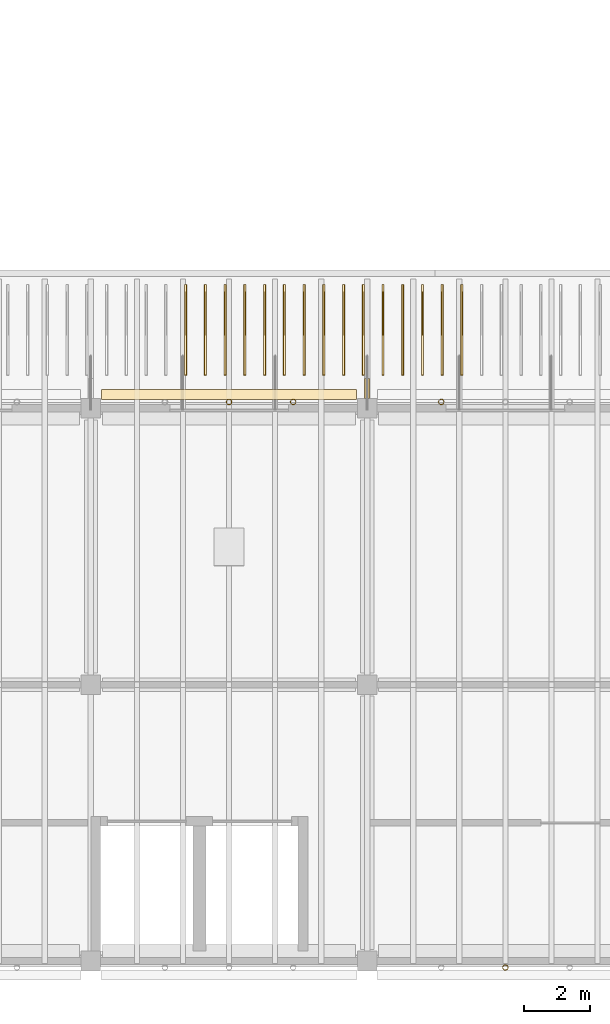
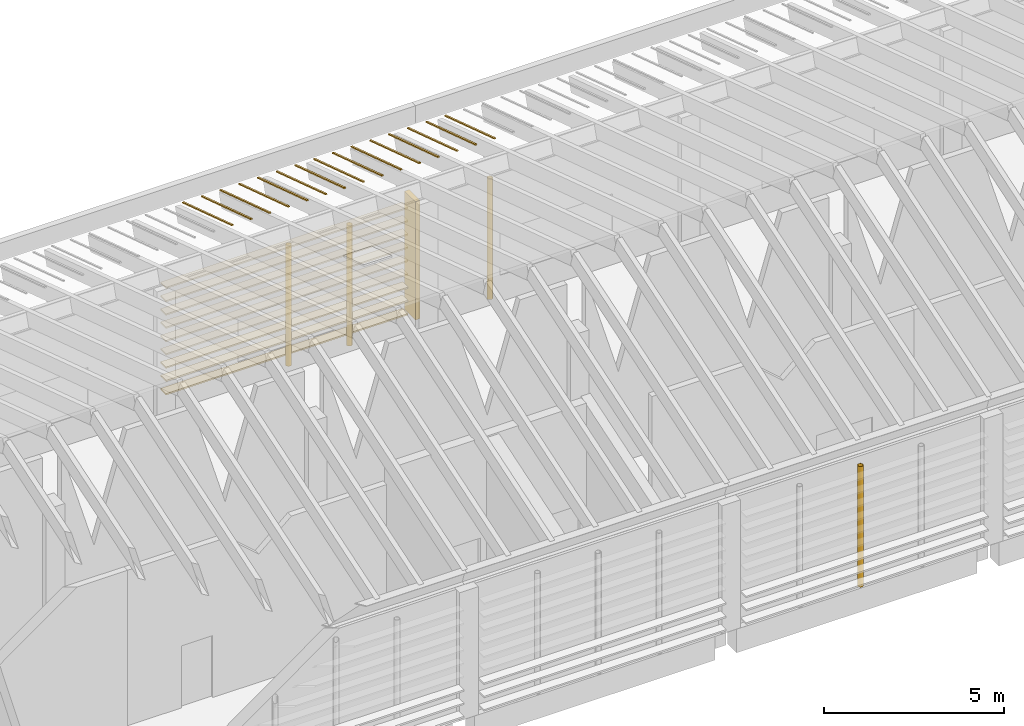
# One storey, part 47 of 59: 24 coverings, 5 shading devices.
"""IFC4 building model written with IfcOpenShell, lengths in metres."""

from ifc_helpers import new_model, si_unit, direction, frame, origin, origin_2d, place, context, subcontext, project, spatial, polyline, rectangle, hollow_circle, outline, extrude, material, layer, layer_set, material_profile, profile_set, type_object, element, save


model = new_model("IFC4")

# Units and contexts
model_context = context("Model", 3, precision=1e-05, world=origin(), true_north=direction((0.0, 1.0)))
body_context = subcontext(model_context, "Body", "Model", "MODEL_VIEW")
ifc_project = project(units=[si_unit("LENGTHUNIT", "METRE"), si_unit("AREAUNIT", "SQUARE_METRE"), si_unit("VOLUMEUNIT", "CUBIC_METRE"), si_unit("PLANEANGLEUNIT", "RADIAN"), si_unit("MASSUNIT", "GRAM", prefix="KILO")], contexts=[model_context])

# Site, building, storey
site_placement = place(None, origin())
site = spatial("IfcSite", under=ifc_project, at=site_placement, CompositionType="ELEMENT")
building_placement = place(site_placement, origin())
building = spatial("IfcBuilding", under=site, at=building_placement, Name="Almond Square Museum", CompositionType="ELEMENT")
storey_placement = place(building_placement, frame((0.0, 0.0, 25.0)))
storey = spatial("IfcBuildingStorey", under=building, at=storey_placement, Name="L04", CompositionType="ELEMENT", Elevation=25.0)

# Shading devices
ifc_material_1 = material(Name="Structural steel S355", Category="steel")
ifc_material_profile_1 = material_profile(ifc_material_1, hollow_circle(Radius=0.084228515625, WallThickness=0.008056640625, at=origin_2d()))
ifc_profile_set_1 = profile_set([ifc_material_profile_1], Name="Structural steel S355")
shading_device_type_1 = type_object("IfcShadingDeviceType", Name="Louvre post CHS 168.3 x 8", PredefinedType="USERDEFINED", material=ifc_profile_set_1)
for number, where, z_axis, x_axis, name in (
    (1, (102.60009765625, -0.194091796875, 0.0), (0.0, 0.0, 1.0), (1.0, 0.0, 0.0), "Louvre screen post"),
    (2, (100.64990234375, 16.994140625, 0.0), (0.0, 0.0, 1.0), (1.0, 0.0, 0.0), "Louvre screen post"),
    (3, (94.199951171875, 16.994140625, 0.0), (0.0, 0.0, 1.0), (1.0, 0.0, 0.0), "Louvre screen post"),
    (4, (96.14990234375, 16.994140625, 0.0), (0.0, 0.0, 1.0), (1.0, 0.0, 0.0), "Louvre screen post"),
):
    element("IfcShadingDevice", number, at=place(storey_placement, frame(where, z_axis=z_axis, x_axis=x_axis)), inside=storey, type_object=shading_device_type_1, Name=name, ObjectType="POST", PredefinedType="USERDEFINED", context=body_context, shape_type="SweptSolid", body=[
        extrude(hollow_circle(Radius=0.084228515625, WallThickness=0.008056640625, at=origin_2d()), origin(), (0.0, 0.0, 1.0), 4.08447265625),
    ])

# Coverings
ifc_material_2 = material(Name="Cedar timber louvre board", Category="wood")
ifc_material_profile_2 = material_profile(ifc_material_2, rectangle(XDim=0.300048828125, YDim=0.050048828125, at=origin_2d()))
ifc_profile_set_2 = profile_set([ifc_material_profile_2], Name="Cedar timber louvre board")
covering_type_1 = type_object("IfcCoveringType", Name="Louvre screen board 300 x 50", PredefinedType="CLADDING", material=ifc_profile_set_2)
for number, where, z_axis, x_axis, name in (
    (5, (90.320068359375, 17.224365234375, 0.300048828125), (1.0, 0.0, 0.0), (0.0, 1.0, 0.0), "Louvre screen board"),
    (6, (90.320068359375, 17.224365234375, 0.75), (1.0, 0.0, 0.0), (0.0, 1.0, 0.0), "Louvre screen board"),
    (7, (90.320068359375, 17.224365234375, 1.199951171875), (1.0, 0.0, 0.0), (0.0, 1.0, 0.0), "Louvre screen board"),
    (8, (90.320068359375, 17.224365234375, 1.64990234375), (1.0, 0.0, 0.0), (0.0, 1.0, 0.0), "Louvre screen board"),
    (9, (90.320068359375, 17.224365234375, 2.10009765625), (1.0, 0.0, 0.0), (0.0, 1.0, 0.0), "Louvre screen board"),
    (10, (90.320068359375, 17.224365234375, 2.550048828125), (1.0, 0.0, 0.0), (0.0, 1.0, 0.0), "Louvre screen board"),
    (11, (90.320068359375, 17.224365234375, 3.0), (1.0, 0.0, 0.0), (0.0, 1.0, 0.0), "Louvre screen board"),
    (12, (90.320068359375, 17.224365234375, 3.449951171875), (1.0, 0.0, 0.0), (0.0, 1.0, 0.0), "Louvre screen board"),
    (13, (90.320068359375, 17.224365234375, 3.89990234375), (1.0, 0.0, 0.0), (0.0, 1.0, 0.0), "Louvre screen board"),
):
    element("IfcCovering", number, at=place(storey_placement, frame(where, z_axis=z_axis, x_axis=x_axis)), inside=storey, type_object=covering_type_1, Name=name, PredefinedType="CLADDING", context=body_context, shape_type="SweptSolid", body=[
        extrude(rectangle(XDim=0.300048828125, YDim=0.050048828125, at=origin_2d()), origin(), (0.0, 0.0, 1.0), 7.760009765625),
    ])
ifc_material_3 = material(Name="Zinc standing seam")
ifc_layer = layer(ifc_material_3, 0.0400390625)
ifc_layer_set = layer_set([ifc_layer], Name="Zinc standing seam")
covering_type_2 = type_object("IfcCoveringType", Name="Roof standing seam rib 60 x 40", PredefinedType="CLADDING", material=ifc_layer_set)
covering_1_placement = place(storey_placement, frame((92.85009765625, 17.800048828125, 4.675048828125), z_axis=(0.0, 0.309024978252, 0.951053922139), x_axis=(1.0, 0.0, 0.0)))
element("IfcCovering", 14, at=covering_1_placement, inside=storey, type_object=covering_type_2, Name="Roof standing seam rib", PredefinedType="CLADDING", context=body_context, shape_type="SweptSolid", body=[
    extrude(outline(polyline([(0.0, 0.0), (0.059814453125, 0.0), (0.059814453125, 2.8915290037544534), (0.0, 2.8915290037544534), (0.0, 0.0)])), origin(), (0.0, 0.0, 1.0), 0.0400390625),
])
for number, where, z_axis, x_axis, name in (
    (15, (93.449951171875, 17.800048828125, 4.675048828125), (0.0, 0.309024978252, 0.951053922139), (1.0, 0.0, 0.0), "Roof standing seam rib"),
    (16, (94.050048828125, 17.800048828125, 4.675048828125), (0.0, 0.309024978252, 0.951053922139), (1.0, 0.0, 0.0), "Roof standing seam rib"),
    (17, (94.64990234375, 17.800048828125, 4.675048828125), (0.0, 0.309024978252, 0.951053922139), (1.0, 0.0, 0.0), "Roof standing seam rib"),
    (18, (95.25, 17.800048828125, 4.675048828125), (0.0, 0.309024978252, 0.951053922139), (1.0, 0.0, 0.0), "Roof standing seam rib"),
):
    element("IfcCovering", number, at=place(storey_placement, frame(where, z_axis=z_axis, x_axis=x_axis)), inside=storey, type_object=covering_type_2, Name=name, PredefinedType="CLADDING", context=body_context, shape_type="SweptSolid", body=[
        extrude(outline(polyline([(0.0, 0.0), (0.06005859375, 0.0), (0.06005859375, 2.891529003754454), (0.0, 2.891529003754454), (0.0, 0.0)])), origin(), (0.0, 0.0, 1.0), 0.0400390625),
    ])
covering_2_placement = place(storey_placement, frame((95.85009765625, 17.800048828125, 4.675048828125), z_axis=(0.0, 0.309024978252, 0.951053922139), x_axis=(1.0, 0.0, 0.0)))
element("IfcCovering", 19, at=covering_2_placement, inside=storey, type_object=covering_type_2, Name="Roof standing seam rib", PredefinedType="CLADDING", context=body_context, shape_type="SweptSolid", body=[
    extrude(outline(polyline([(0.0, 0.0), (0.059814453125, 0.0), (0.059814453125, 2.8915290037544534), (0.0, 2.8915290037544534), (0.0, 0.0)])), origin(), (0.0, 0.0, 1.0), 0.0400390625),
])
for number, where, z_axis, x_axis, name in (
    (20, (96.449951171875, 17.800048828125, 4.675048828125), (0.0, 0.309024978252, 0.951053922139), (1.0, 0.0, 0.0), "Roof standing seam rib"),
    (21, (97.050048828125, 17.800048828125, 4.675048828125), (0.0, 0.309024978252, 0.951053922139), (1.0, 0.0, 0.0), "Roof standing seam rib"),
    (22, (97.64990234375, 17.800048828125, 4.675048828125), (0.0, 0.309024978252, 0.951053922139), (1.0, 0.0, 0.0), "Roof standing seam rib"),
    (23, (98.25, 17.800048828125, 4.675048828125), (0.0, 0.309024978252, 0.951053922139), (1.0, 0.0, 0.0), "Roof standing seam rib"),
):
    element("IfcCovering", number, at=place(storey_placement, frame(where, z_axis=z_axis, x_axis=x_axis)), inside=storey, type_object=covering_type_2, Name=name, PredefinedType="CLADDING", context=body_context, shape_type="SweptSolid", body=[
        extrude(outline(polyline([(0.0, 0.0), (0.06005859375, 0.0), (0.06005859375, 2.891529003754454), (0.0, 2.891529003754454), (0.0, 0.0)])), origin(), (0.0, 0.0, 1.0), 0.0400390625),
    ])
covering_3_placement = place(storey_placement, frame((98.85009765625, 17.800048828125, 4.675048828125), z_axis=(0.0, 0.309024978252, 0.951053922139), x_axis=(1.0, 0.0, 0.0)))
element("IfcCovering", 24, at=covering_3_placement, inside=storey, type_object=covering_type_2, Name="Roof standing seam rib", PredefinedType="CLADDING", context=body_context, shape_type="SweptSolid", body=[
    extrude(outline(polyline([(0.0, 0.0), (0.059814453125, 0.0), (0.059814453125, 2.8915290037544534), (0.0, 2.8915290037544534), (0.0, 0.0)])), origin(), (0.0, 0.0, 1.0), 0.0400390625),
])
for number, where, z_axis, x_axis, name in (
    (25, (99.449951171875, 17.800048828125, 4.675048828125), (0.0, 0.309024978252, 0.951053922139), (1.0, 0.0, 0.0), "Roof standing seam rib"),
    (26, (100.050048828125, 17.800048828125, 4.675048828125), (0.0, 0.309024978252, 0.951053922139), (1.0, 0.0, 0.0), "Roof standing seam rib"),
    (27, (100.64990234375, 17.800048828125, 4.675048828125), (0.0, 0.309024978252, 0.951053922139), (1.0, 0.0, 0.0), "Roof standing seam rib"),
    (28, (101.25, 17.800048828125, 4.675048828125), (0.0, 0.309024978252, 0.951053922139), (1.0, 0.0, 0.0), "Roof standing seam rib"),
):
    element("IfcCovering", number, at=place(storey_placement, frame(where, z_axis=z_axis, x_axis=x_axis)), inside=storey, type_object=covering_type_2, Name=name, PredefinedType="CLADDING", context=body_context, shape_type="SweptSolid", body=[
        extrude(outline(polyline([(0.0, 0.0), (0.06005859375, 0.0), (0.06005859375, 2.891529003754454), (0.0, 2.891529003754454), (0.0, 0.0)])), origin(), (0.0, 0.0, 1.0), 0.0400390625),
    ])

# Shading device
ifc_material_4 = material(Name="Cedar timber fin", Category="wood")
shading_device_type_2 = type_object("IfcShadingDeviceType", Name="Timber storm fin 150 x 600", PredefinedType="USERDEFINED", material=ifc_material_4)
shading_device_placement = place(storey_placement, frame((98.39990234375, 17.39990234375, 0.0), z_axis=(0.0, 0.0, 1.0), x_axis=(1.0, 0.0, 0.0)))
element("IfcShadingDevice", 29, at=shading_device_placement, inside=storey, type_object=shading_device_type_2, Name="Timber storm fin", ObjectType="FIN", PredefinedType="USERDEFINED", context=body_context, shape_type="SweptSolid", body=[
    extrude(rectangle(XDim=0.14990234375, YDim=0.60009765625, at=origin_2d()), origin(), (0.0, 0.0, 1.0), 4.007568359375),
])

save(model, "model.ifc")
